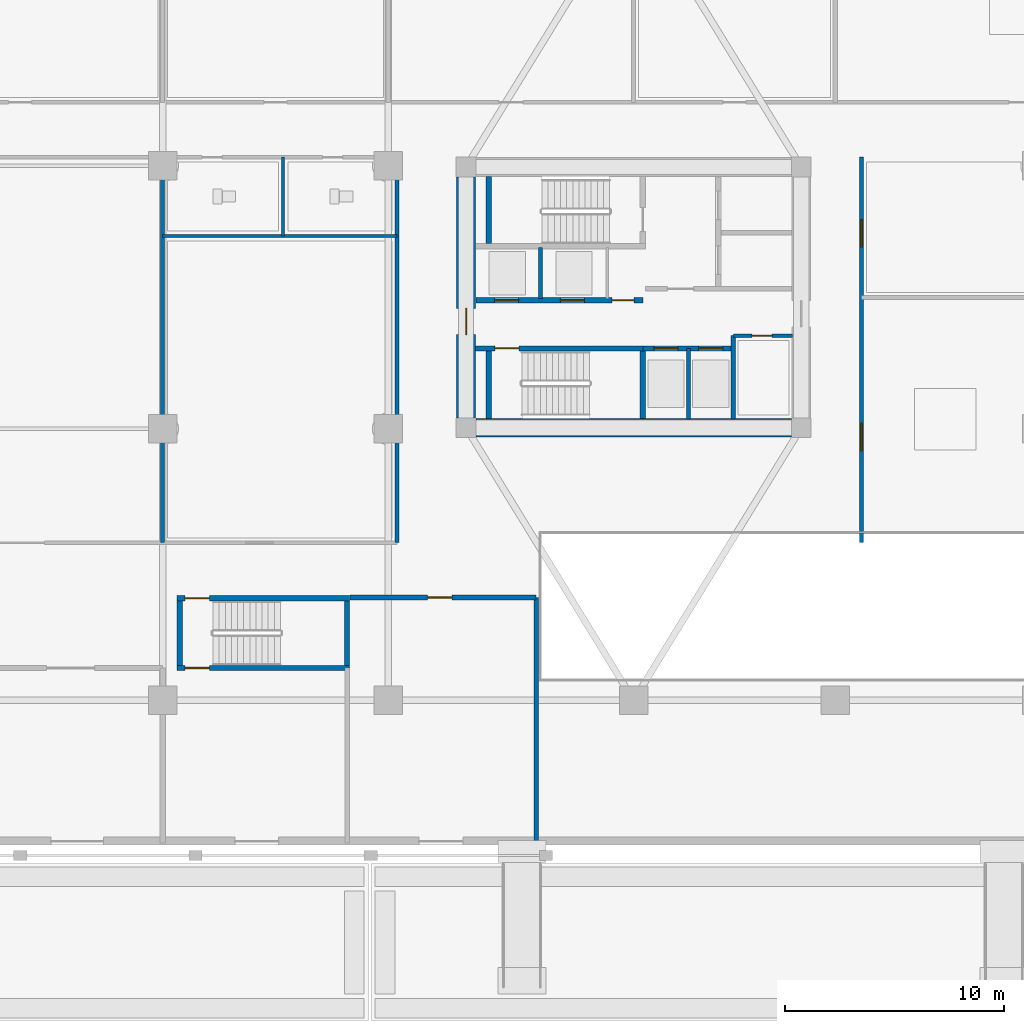
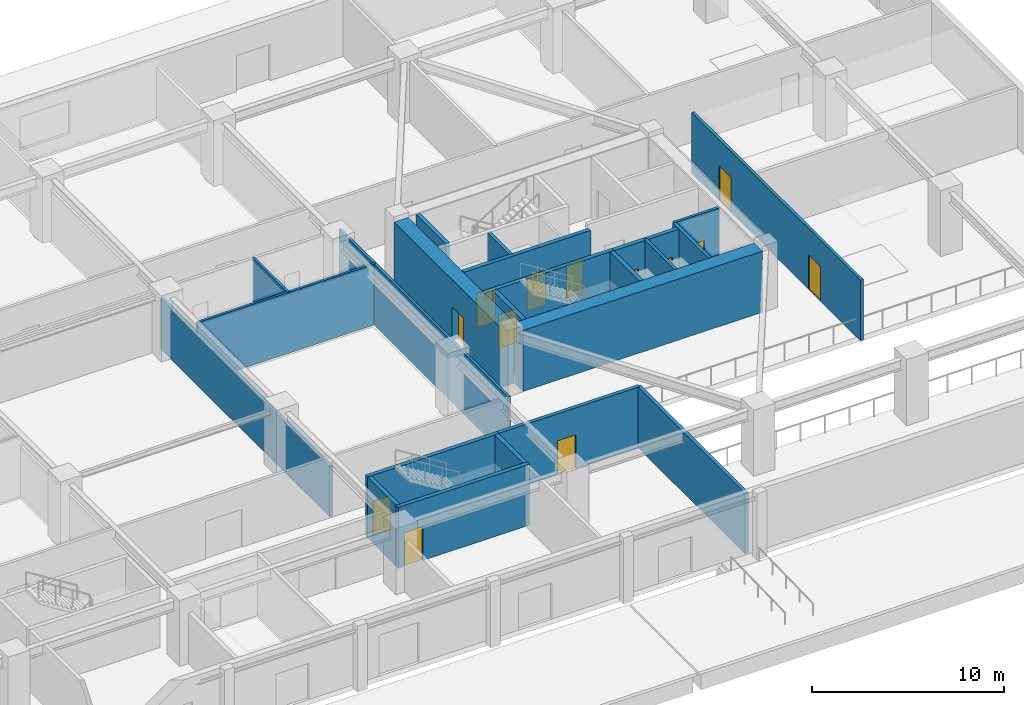
# One storey, part 10 of 22: 23 walls, 13 doors, 13 openings.
"""IFC4 building model written with IfcOpenShell, lengths in metres."""

from ifc_helpers import new_model, si_unit, direction, frame, frame_2d, origin, place, context, subcontext, project, spatial, rectangle, extrude, source, transform, mapped, material, layer, layer_set, type_object, type_shapes, element, fill, save


model = new_model("IFC4")

# Units and contexts
model_context = context("Model", 3, precision=1e-05, world=origin(), true_north=direction((0.0, 1.0)))
body_context = subcontext(model_context, "Body", "Model", "MODEL_VIEW")
ifc_project = project(units=[si_unit("LENGTHUNIT", "METRE"), si_unit("AREAUNIT", "SQUARE_METRE"), si_unit("VOLUMEUNIT", "CUBIC_METRE"), si_unit("PLANEANGLEUNIT", "RADIAN"), si_unit("MASSUNIT", "GRAM", prefix="KILO")], contexts=[model_context])

# Site, building, storey
site_placement = place(None, origin())
site = spatial("IfcSite", under=ifc_project, at=site_placement, CompositionType="ELEMENT")
building_placement = place(site_placement, origin())
building = spatial("IfcBuilding", under=site, at=building_placement, Name="Norrkilde Senior Care Towers", CompositionType="ELEMENT")
storey_placement = place(building_placement, origin())
storey = spatial("IfcBuildingStorey", under=building, at=storey_placement, Name="L00", CompositionType="ELEMENT", Elevation=0.0)

# Wall
ifc_material_1 = material(Name="Concrete C60/75", Category="concrete")
ifc_layer_1 = layer(ifc_material_1, 0.85009765625)
ifc_layer_set_1 = layer_set([ifc_layer_1], Name="Concrete C60/75")
wall_type_1 = type_object("IfcWallType", Name="Core Shear Wall Z1 850", PredefinedType="SHEAR", material=ifc_layer_set_1)
shared_shape_1 = source(origin(), body_context, "Body", "SweptSolid", [
    extrude(rectangle(XDim=14.39990234375, YDim=0.85009765625, at=frame_2d((7.199951171875, 0.0))), origin(), (0.0, 0.0, 1.0), 3.8798828125),
])
wall_1_placement = place(storey_placement, frame((35.199951171875, -5.949951171875, 0.0), z_axis=(0.0, 0.0, 1.0), x_axis=(-1.0, 0.0, 0.0)))
element("IfcWall", 1, at=wall_1_placement, inside=storey, type_object=wall_type_1, Name="L00 Core E South Shear Wall", PredefinedType="SHEAR", context=body_context, shape_type="MappedRepresentation", body=[
    mapped(shared_shape_1, transform((0.0, 0.0, 0.0), x_axis=(1.0, 0.0, 0.0), y_axis=(0.0, 1.0, 0.0), z_axis=(0.0, 0.0, 1.0), scale=1.0)),
])

# Wall, opening, door
shared_shape_2 = source(origin(), body_context, "Body", "SweptSolid", [
    extrude(rectangle(XDim=11.0, YDim=0.85009765625, at=frame_2d((5.5, 0.0))), origin(), (0.0, 0.0, 1.0), 3.8798828125),
])
type_shapes(wall_type_1, [shared_shape_1, shared_shape_2])
wall_2_placement = place(storey_placement, frame((20.35009765625, -5.5, 0.0), z_axis=(0.0, 0.0, 1.0), x_axis=(0.0, 1.0, 0.0)))
wall_2 = element("IfcWall", 2, at=wall_2_placement, inside=storey, type_object=wall_type_1, Name="L00 Core E West Shear Wall", PredefinedType="SHEAR", context=body_context, shape_type="MappedRepresentation", body=[
    mapped(shared_shape_2, transform((0.0, 0.0, 0.0), x_axis=(1.0, 0.0, 0.0), y_axis=(0.0, 1.0, 0.0), z_axis=(0.0, 0.0, 1.0), scale=1.0)),
])
opening_1_placement = place(wall_2_placement, frame((3.800048828125, 0.0, 0.0)))
opening_1 = element("IfcOpeningElement", 3, at=opening_1_placement, cuts=wall_2, Name="Opening D-04", PredefinedType="OPENING", context=body_context, shape_type="SweptSolid", body=[
    extrude(rectangle(XDim=1.199951171875, YDim=2.14990234375, at=frame_2d((0.60009765625, 1.074951171875))), frame((0.0, 0.43505859375, 0.0), z_axis=(0.0, -1.0, 0.0), x_axis=(1.0, 0.0, 0.0)), (0.0, 0.0, 1.0), 0.8701171875),
])
ifc_material_2 = material(Name="Galvanised Painted Steel", Category="steel")
door_type_1 = type_object("IfcDoorType", Name="Firefighting Lobby Fire Door 1200x2150", OperationType="NOTDEFINED", PredefinedType="DOOR", material=ifc_material_2)
shared_shape_3 = source(origin(), body_context, "Body", "SweptSolid", [
    extrude(rectangle(XDim=1.199951171875, YDim=2.14990234375, at=frame_2d((0.60009765625, 1.074951171875))), frame((0.0, 0.02490234375, 0.0), z_axis=(0.0, -1.0, 0.0), x_axis=(1.0, 0.0, 0.0)), (0.0, 0.0, 1.0), 0.050048828125),
])
type_shapes(door_type_1, [shared_shape_3])
door_1_placement = place(opening_1_placement, frame((1.199951171875, 0.0, 0.0), z_axis=(0.0, 0.0, 1.0), x_axis=(-1.0, 0.0, 0.0)))
door_1 = element("IfcDoor", 4, at=door_1_placement, inside=storey, type_object=door_type_1, Name="L00 Core E West Portal Door", OperationType="SINGLE_SWING_LEFT", OverallHeight=2.14990234375, OverallWidth=1.199951171875, PredefinedType="DOOR", context=body_context, shape_type="MappedRepresentation", body=[
    mapped(shared_shape_3, transform((0.0, 0.0, 0.0), x_axis=(1.0, 0.0, 0.0), y_axis=(0.0, 1.0, 0.0), z_axis=(0.0, 0.0, 1.0), scale=1.0)),
])
fill(opening_1, door_1)

ifc_material_3 = material(Name="Concrete C45/55", Category="concrete")
ifc_layer_2 = layer(ifc_material_3, 0.239990234375)
ifc_layer_set_2 = layer_set([ifc_layer_2], Name="Concrete C45/55")
wall_type_2 = type_object("IfcWallType", Name="Shaft and Stair Enclosure Wall 240", PredefinedType="PARTITIONING", material=ifc_layer_set_2)
shared_shape_4 = source(origin(), body_context, "Body", "SweptSolid", [
    extrude(rectangle(XDim=7.76513671875, YDim=0.239990234375, at=frame_2d((3.882568359375, 0.0))), origin(), (0.0, 0.0, 1.0), 3.8798828125),
])
wall_3_placement = place(storey_placement, frame((20.77490234375, -2.330078125, 0.0), z_axis=(0.0, 0.0, 1.0), x_axis=(1.0, 0.0, 0.0)))
wall_3 = element("IfcWall", 5, at=wall_3_placement, inside=storey, type_object=wall_type_2, Name="WL-INT-L00-E-ST2N", PredefinedType="PARTITIONING", context=body_context, shape_type="MappedRepresentation", body=[
    mapped(shared_shape_4, transform((0.0, 0.0, 0.0), x_axis=(1.0, 0.0, 0.0), y_axis=(0.0, 1.0, 0.0), z_axis=(0.0, 0.0, 1.0), scale=1.0)),
])
opening_2_placement = place(wall_3_placement, frame((0.885009765625, 0.0, 0.0)))
opening_2 = element("IfcOpeningElement", 6, at=opening_2_placement, cuts=wall_3, Name="Opening D-03", PredefinedType="OPENING", context=body_context, shape_type="SweptSolid", body=[
    extrude(rectangle(XDim=1.10009765625, YDim=2.14990234375, at=frame_2d((0.550048828125, 1.074951171875))), frame((0.0, 0.1298828125, 0.0), z_axis=(0.0, -1.0, 0.0), x_axis=(1.0, 0.0, 0.0)), (0.0, 0.0, 1.0), 0.260009765625),
])
door_type_2 = type_object("IfcDoorType", Name="Stairwell Protected Fire Door 1100x2150", OperationType="NOTDEFINED", PredefinedType="DOOR", material=ifc_material_2)
shared_shape_5 = source(origin(), body_context, "Body", "SweptSolid", [
    extrude(rectangle(XDim=1.10009765625, YDim=2.14990234375, at=frame_2d((0.550048828125, 1.074951171875))), frame((0.0, 0.02490234375, 0.0), z_axis=(0.0, -1.0, 0.0), x_axis=(1.0, 0.0, 0.0)), (0.0, 0.0, 1.0), 0.050048828125),
])
type_shapes(door_type_2, [shared_shape_5])
door_2_placement = place(opening_2_placement, frame((1.10009765625, 0.0, 0.0), z_axis=(0.0, 0.0, 1.0), x_axis=(-1.0, 0.0, 0.0)))
door_2 = element("IfcDoor", 7, at=door_2_placement, inside=storey, type_object=door_type_2, Name="L00 Stair E2 Fire Door", OperationType="SINGLE_SWING_RIGHT", OverallHeight=2.14990234375, OverallWidth=1.10009765625, PredefinedType="DOOR", context=body_context, shape_type="MappedRepresentation", body=[
    mapped(shared_shape_5, transform((0.0, 0.0, 0.0), x_axis=(1.0, 0.0, 0.0), y_axis=(0.0, 1.0, 0.0), z_axis=(0.0, 0.0, 1.0), scale=1.0)),
])
fill(opening_2, door_2)

# Walls
shared_shape_6 = source(origin(), body_context, "Body", "SweptSolid", [
    extrude(rectangle(XDim=3.074951171875, YDim=0.239990234375, at=frame_2d((1.53759765625, 0.0))), origin(), (0.0, 0.0, 1.0), 3.8798828125),
])
for number, where, z_axis, x_axis, name in (
    (8, (21.3798828125, 2.449951171875, 0.0), (0.0, 0.0, 1.0), (0.0, 1.0, 0.0), "WL-INT-L00-E-ST1W"),
    (9, (21.3798828125, -5.52490234375, 0.0), (0.0, 0.0, 1.0), (0.0, 1.0, 0.0), "WL-INT-L00-E-ST2W"),
    (10, (28.419921875, -5.52490234375, 0.0), (0.0, 0.0, 1.0), (0.0, 1.0, 0.0), "WL-INT-L00-E-ST2E"),
):
    element("IfcWall", number, at=place(storey_placement, frame(where, z_axis=z_axis, x_axis=x_axis)), inside=storey, type_object=wall_type_2, Name=name, PredefinedType="PARTITIONING", context=body_context, shape_type="MappedRepresentation", body=[
        mapped(shared_shape_6, transform((0.0, 0.0, 0.0), x_axis=(1.0, 0.0, 0.0), y_axis=(0.0, 1.0, 0.0), z_axis=(0.0, 0.0, 1.0), scale=1.0)),
    ])

# Wall, openings, doors
ifc_layer_3 = layer(ifc_material_3, 0.239990234375)
ifc_layer_set_3 = layer_set([ifc_layer_3], Name="Concrete C45/55")
wall_type_3 = type_object("IfcWallType", Name="Lift and Plant Rated Enclosure Partition 240", PredefinedType="PARTITIONING", material=ifc_layer_set_3)
shared_shape_7 = source(origin(), body_context, "Body", "SweptSolid", [
    extrude(rectangle(XDim=7.619873046875, YDim=0.239990234375, at=frame_2d((3.81005859375, 0.0))), origin(), (0.0, 0.0, 1.0), 3.864990234375),
])
wall_4_placement = place(storey_placement, frame((20.800048828125, -0.1298828125, 0.0), z_axis=(0.0, 0.0, 1.0), x_axis=(1.0, 0.0, 0.0)))
wall_4 = element("IfcWall", 11, at=wall_4_placement, inside=storey, type_object=wall_type_3, Name="WL-INT-L00-E-PKAS", PredefinedType="PARTITIONING", context=body_context, shape_type="MappedRepresentation", body=[
    mapped(shared_shape_7, transform((0.0, 0.0, 0.0), x_axis=(1.0, 0.0, 0.0), y_axis=(0.0, 1.0, 0.0), z_axis=(0.0, 0.0, 1.0), scale=1.0)),
])
opening_3_placement = place(wall_4_placement, frame((6.219970703125, 0.0, 0.0)))
opening_3 = element("IfcOpeningElement", 12, at=opening_3_placement, cuts=wall_4, Name="Opening D-10", PredefinedType="OPENING", context=body_context, shape_type="SweptSolid", body=[
    extrude(rectangle(XDim=1.0, YDim=2.10009765625, at=frame_2d((0.5, 1.050048828125))), frame((0.0, 0.1298828125, 0.0), z_axis=(0.0, -1.0, 0.0), x_axis=(1.0, 0.0, 0.0)), (0.0, 0.0, 1.0), 0.260009765625),
])
opening_4_placement = place(wall_4_placement, frame((0.85009765625, 0.0, 0.0)))
opening_4 = element("IfcOpeningElement", 13, at=opening_4_placement, cuts=wall_4, Name="Opening LD-01", PredefinedType="OPENING", context=body_context, shape_type="SweptSolid", body=[
    extrude(rectangle(XDim=1.10009765625, YDim=2.199951171875, at=frame_2d((0.550048828125, 1.10009765625))), frame((0.0, 0.1298828125, 0.0), z_axis=(0.0, -1.0, 0.0), x_axis=(1.0, 0.0, 0.0)), (0.0, 0.0, 1.0), 0.260009765625),
])
opening_5_placement = place(wall_4_placement, frame((3.85009765625, 0.0, 0.0)))
opening_5 = element("IfcOpeningElement", 14, at=opening_5_placement, cuts=wall_4, Name="Opening LD-01", PredefinedType="OPENING", context=body_context, shape_type="SweptSolid", body=[
    extrude(rectangle(XDim=1.10009765625, YDim=2.199951171875, at=frame_2d((0.550048828125, 1.10009765625))), frame((0.0, 0.1298828125, 0.0), z_axis=(0.0, -1.0, 0.0), x_axis=(1.0, 0.0, 0.0)), (0.0, 0.0, 1.0), 0.260009765625),
])
door_type_3 = type_object("IfcDoorType", Name="Plant and Riser Rated Door 1000x2100", OperationType="NOTDEFINED", PredefinedType="DOOR", material=ifc_material_2)
shared_shape_8 = source(origin(), body_context, "Body", "SweptSolid", [
    extrude(rectangle(XDim=1.0, YDim=2.10009765625, at=frame_2d((0.5, 1.050048828125))), frame((0.0, 0.02490234375, 0.0), z_axis=(0.0, -1.0, 0.0), x_axis=(1.0, 0.0, 0.0)), (0.0, 0.0, 1.0), 0.050048828125),
])
type_shapes(door_type_3, [shared_shape_8])
door_3_placement = place(opening_3_placement, frame((1.0, 0.0, 0.0), z_axis=(0.0, 0.0, 1.0), x_axis=(-1.0, 0.0, 0.0)))
door_3 = element("IfcDoor", 15, at=door_3_placement, inside=storey, type_object=door_type_3, Name="L00 Electrical Riser E Door", OperationType="SINGLE_SWING_LEFT", OverallHeight=2.10009765625, OverallWidth=1.0, PredefinedType="DOOR", context=body_context, shape_type="MappedRepresentation", body=[
    mapped(shared_shape_8, transform((0.0, 0.0, 0.0), x_axis=(1.0, 0.0, 0.0), y_axis=(0.0, 1.0, 0.0), z_axis=(0.0, 0.0, 1.0), scale=1.0)),
])
fill(opening_3, door_3)
ifc_material_4 = material(Name="Stainless Steel", Category="steel")
door_type_4 = type_object("IfcDoorType", Name="Lift Landing Sliding Door 1100x2200", OperationType="NOTDEFINED", PredefinedType="DOOR", material=ifc_material_4)
shared_shape_9 = source(origin(), body_context, "Body", "SweptSolid", [
    extrude(rectangle(XDim=1.10009765625, YDim=2.199951171875, at=frame_2d((0.550048828125, 1.10009765625))), frame((0.0, 0.02490234375, 0.0), z_axis=(0.0, -1.0, 0.0), x_axis=(1.0, 0.0, 0.0)), (0.0, 0.0, 1.0), 0.050048828125),
])
type_shapes(door_type_4, [shared_shape_9])
door_4_placement = place(opening_4_placement, origin())
door_4 = element("IfcDoor", 16, at=door_4_placement, inside=storey, type_object=door_type_4, Name="L00 Passenger Lift E1 Landing Door", OperationType="SLIDING_TO_LEFT", OverallHeight=2.199951171875, OverallWidth=1.10009765625, PredefinedType="DOOR", context=body_context, shape_type="MappedRepresentation", body=[
    mapped(shared_shape_9, transform((0.0, 0.0, 0.0), x_axis=(1.0, 0.0, 0.0), y_axis=(0.0, 1.0, 0.0), z_axis=(0.0, 0.0, 1.0), scale=1.0)),
])
fill(opening_4, door_4)
door_5_placement = place(opening_5_placement, origin())
door_5 = element("IfcDoor", 17, at=door_5_placement, inside=storey, type_object=door_type_4, Name="L00 Passenger Lift E2 Landing Door", OperationType="SLIDING_TO_RIGHT", OverallHeight=2.199951171875, OverallWidth=1.10009765625, PredefinedType="DOOR", context=body_context, shape_type="MappedRepresentation", body=[
    mapped(shared_shape_9, transform((0.0, 0.0, 0.0), x_axis=(1.0, 0.0, 0.0), y_axis=(0.0, 1.0, 0.0), z_axis=(0.0, 0.0, 1.0), scale=1.0)),
])
fill(opening_5, door_5)

# Walls
ifc_layer_4 = layer(ifc_material_3, 0.199951171875)
ifc_layer_set_4 = layer_set([ifc_layer_4], Name="Concrete C45/55")
wall_type_4 = type_object("IfcWallType", Name="Shaft Division and Plant Partition 200", PredefinedType="PARTITIONING", material=ifc_layer_set_4)
shared_shape_10 = source(origin(), body_context, "Body", "SweptSolid", [
    extrude(rectangle(XDim=2.330078125, YDim=0.199951171875, at=frame_2d((1.1650390625, 0.0))), origin(), (0.0, 0.0, 1.0), 3.864990234375),
])
wall_5_placement = place(storey_placement, frame((23.75, -0.050048828125, 0.0), z_axis=(0.0, 0.0, 1.0), x_axis=(0.0, 1.0, 0.0)))
element("IfcWall", 18, at=wall_5_placement, inside=storey, type_object=wall_type_4, Name="WL-INT-L00-E-PL12", PredefinedType="PARTITIONING", context=body_context, shape_type="MappedRepresentation", body=[
    mapped(shared_shape_10, transform((0.0, 0.0, 0.0), x_axis=(1.0, 0.0, 0.0), y_axis=(0.0, 1.0, 0.0), z_axis=(0.0, 0.0, 1.0), scale=1.0)),
])
shared_shape_11 = source(origin(), body_context, "Body", "SweptSolid", [
    extrude(rectangle(XDim=3.800048828125, YDim=0.199951171875, at=frame_2d((1.89990234375, 0.0))), origin(), (0.0, 0.0, 1.0), 3.864990234375),
])
type_shapes(wall_type_4, [shared_shape_10, shared_shape_11])
wall_6_placement = place(storey_placement, frame((32.550048828125, -5.550048828125, 0.0), z_axis=(0.0, 0.0, 1.0), x_axis=(0.0, 1.0, 0.0)))
element("IfcWall", 19, at=wall_6_placement, inside=storey, type_object=wall_type_4, Name="WL-INT-L00-E-PKBE", PredefinedType="PARTITIONING", context=body_context, shape_type="MappedRepresentation", body=[
    mapped(shared_shape_11, transform((0.0, 0.0, 0.0), x_axis=(1.0, 0.0, 0.0), y_axis=(0.0, 1.0, 0.0), z_axis=(0.0, 0.0, 1.0), scale=1.0)),
])

# Wall, openings, doors
shared_shape_12 = source(origin(), body_context, "Body", "SweptSolid", [
    extrude(rectangle(XDim=4.130126953125, YDim=0.239990234375, at=frame_2d((2.06494140625, 0.0))), origin(), (0.0, 0.0, 1.0), 3.864990234375),
])
type_shapes(wall_type_3, [shared_shape_7, shared_shape_12])
wall_7_placement = place(storey_placement, frame((28.419921875, -2.330078125, 0.0), z_axis=(0.0, 0.0, 1.0), x_axis=(1.0, 0.0, 0.0)))
wall_7 = element("IfcWall", 20, at=wall_7_placement, inside=storey, type_object=wall_type_3, Name="WL-INT-L00-E-PKBN", PredefinedType="PARTITIONING", context=body_context, shape_type="MappedRepresentation", body=[
    mapped(shared_shape_12, transform((0.0, 0.0, 0.0), x_axis=(1.0, 0.0, 0.0), y_axis=(0.0, 1.0, 0.0), z_axis=(0.0, 0.0, 1.0), scale=1.0)),
])
opening_6_placement = place(wall_7_placement, frame((0.5, 0.0, 0.0)))
opening_6 = element("IfcOpeningElement", 21, at=opening_6_placement, cuts=wall_7, Name="Opening LD-01", PredefinedType="OPENING", context=body_context, shape_type="SweptSolid", body=[
    extrude(rectangle(XDim=1.10009765625, YDim=2.199951171875, at=frame_2d((0.550048828125, 1.10009765625))), frame((0.0, 0.1298828125, 0.0), z_axis=(0.0, -1.0, 0.0), x_axis=(1.0, 0.0, 0.0)), (0.0, 0.0, 1.0), 0.260009765625),
])
opening_7_placement = place(wall_7_placement, frame((2.550048828125, 0.0, 0.0)))
opening_7 = element("IfcOpeningElement", 22, at=opening_7_placement, cuts=wall_7, Name="Opening LD-01", PredefinedType="OPENING", context=body_context, shape_type="SweptSolid", body=[
    extrude(rectangle(XDim=1.10009765625, YDim=2.199951171875, at=frame_2d((0.550048828125, 1.10009765625))), frame((0.0, 0.1298828125, 0.0), z_axis=(0.0, -1.0, 0.0), x_axis=(1.0, 0.0, 0.0)), (0.0, 0.0, 1.0), 0.260009765625),
])
door_6_placement = place(opening_6_placement, frame((1.10009765625, 0.0, 0.0), z_axis=(0.0, 0.0, 1.0), x_axis=(-1.0, 0.0, 0.0)))
door_6 = element("IfcDoor", 23, at=door_6_placement, inside=storey, type_object=door_type_4, Name="L00 Passenger Lift E3 Landing Door", OperationType="SLIDING_TO_LEFT", OverallHeight=2.199951171875, OverallWidth=1.10009765625, PredefinedType="DOOR", context=body_context, shape_type="MappedRepresentation", body=[
    mapped(shared_shape_9, transform((0.0, 0.0, 0.0), x_axis=(1.0, 0.0, 0.0), y_axis=(0.0, 1.0, 0.0), z_axis=(0.0, 0.0, 1.0), scale=1.0)),
])
fill(opening_6, door_6)
door_7_placement = place(opening_7_placement, frame((1.10009765625, 0.0, 0.0), z_axis=(0.0, 0.0, 1.0), x_axis=(-1.0, 0.0, 0.0)))
door_7 = element("IfcDoor", 24, at=door_7_placement, inside=storey, type_object=door_type_4, Name="L00 Passenger Lift E4 Landing Door", OperationType="SLIDING_TO_RIGHT", OverallHeight=2.199951171875, OverallWidth=1.10009765625, PredefinedType="DOOR", context=body_context, shape_type="MappedRepresentation", body=[
    mapped(shared_shape_9, transform((0.0, 0.0, 0.0), x_axis=(1.0, 0.0, 0.0), y_axis=(0.0, 1.0, 0.0), z_axis=(0.0, 0.0, 1.0), scale=1.0)),
])
fill(opening_7, door_7)

# Wall
ifc_layer_5 = layer(ifc_material_3, 0.179931640625)
ifc_layer_set_5 = layer_set([ifc_layer_5], Name="Concrete C45/55")
wall_type_5 = type_object("IfcWallType", Name="Hoistway Division Rated Partition 180", PredefinedType="PARTITIONING", material=ifc_layer_set_5)
shared_shape_13 = source(origin(), body_context, "Body", "SweptSolid", [
    extrude(rectangle(XDim=3.219970703125, YDim=0.179931640625, at=frame_2d((1.60986328125, 0.0))), origin(), (0.0, 0.0, 1.0), 3.864990234375),
])
type_shapes(wall_type_5, [shared_shape_13])
wall_8_placement = place(storey_placement, frame((30.5, -5.550048828125, 0.0), z_axis=(0.0, 0.0, 1.0), x_axis=(0.0, 1.0, 0.0)))
element("IfcWall", 25, at=wall_8_placement, inside=storey, type_object=wall_type_5, Name="WL-INT-L00-E-PL34", PredefinedType="PARTITIONING", context=body_context, shape_type="MappedRepresentation", body=[
    mapped(shared_shape_13, transform((0.0, 0.0, 0.0), x_axis=(1.0, 0.0, 0.0), y_axis=(0.0, 1.0, 0.0), z_axis=(0.0, 0.0, 1.0), scale=1.0)),
])

# Wall, opening, door
ifc_material_5 = material(Name="Gypsum Acoustic Board")
ifc_layer_6 = layer(ifc_material_5, 0.1650390625)
ifc_layer_set_6 = layer_set([ifc_layer_6], Name="Gypsum Acoustic Board")
wall_type_6 = type_object("IfcWallType", Name="Corridor Rated Partition 165", PredefinedType="PARTITIONING", material=ifc_layer_set_6)
shared_shape_14 = source(origin(), body_context, "Body", "SweptSolid", [
    extrude(rectangle(XDim=2.699951171875, YDim=0.1650390625, at=frame_2d((1.35009765625, 0.0))), origin(), (0.0, 0.0, 1.0), 3.864990234375),
])
wall_9_placement = place(storey_placement, frame((32.550048828125, -1.75, 0.0), z_axis=(0.0, 0.0, 1.0), x_axis=(1.0, 0.0, 0.0)))
wall_9 = element("IfcWall", 26, at=wall_9_placement, inside=storey, type_object=wall_type_6, Name="WL-INT-L00-E-CSN", PredefinedType="PARTITIONING", context=body_context, shape_type="MappedRepresentation", body=[
    mapped(shared_shape_14, transform((0.0, 0.0, 0.0), x_axis=(1.0, 0.0, 0.0), y_axis=(0.0, 1.0, 0.0), z_axis=(0.0, 0.0, 1.0), scale=1.0)),
])
opening_8_placement = place(wall_9_placement, frame((0.85009765625, 0.0, 0.0)))
opening_8 = element("IfcOpeningElement", 27, at=opening_8_placement, cuts=wall_9, Name="Opening D-12", PredefinedType="OPENING", context=body_context, shape_type="SweptSolid", body=[
    extrude(rectangle(XDim=0.925048828125, YDim=2.10009765625, at=frame_2d((0.46240234375, 1.050048828125))), frame((0.0, 0.092529296875, 0.0), z_axis=(0.0, -1.0, 0.0), x_axis=(1.0, 0.0, 0.0)), (0.0, 0.0, 1.0), 0.18505859375),
])
door_type_5 = type_object("IfcDoorType", Name="Core Wet Room Rated Door 925x2100", OperationType="NOTDEFINED", PredefinedType="DOOR", material=ifc_material_2)
shared_shape_15 = source(origin(), body_context, "Body", "SweptSolid", [
    extrude(rectangle(XDim=0.925048828125, YDim=2.10009765625, at=frame_2d((0.46240234375, 1.050048828125))), frame((0.0, 0.02490234375, 0.0), z_axis=(0.0, -1.0, 0.0), x_axis=(1.0, 0.0, 0.0)), (0.0, 0.0, 1.0), 0.050048828125),
])
type_shapes(door_type_5, [shared_shape_15])
door_8_placement = place(opening_8_placement, origin())
door_8 = element("IfcDoor", 28, at=door_8_placement, inside=storey, type_object=door_type_5, Name="L00 Core Utility E Door", OperationType="SINGLE_SWING_LEFT", OverallHeight=2.10009765625, OverallWidth=0.925048828125, PredefinedType="DOOR", context=body_context, shape_type="MappedRepresentation", body=[
    mapped(shared_shape_15, transform((0.0, 0.0, 0.0), x_axis=(1.0, 0.0, 0.0), y_axis=(0.0, 1.0, 0.0), z_axis=(0.0, 0.0, 1.0), scale=1.0)),
])
fill(opening_8, door_8)

shared_shape_16 = source(origin(), body_context, "Body", "SweptSolid", [
    extrude(rectangle(XDim=7.880126953125, YDim=0.239990234375, at=frame_2d((3.93994140625, 0.0))), origin(), (0.0, 0.0, 1.0), 3.8798828125),
])
wall_10_placement = place(storey_placement, frame((7.159912109375, -13.72998046875, 0.0), z_axis=(0.0, 0.0, 1.0), x_axis=(1.0, 0.0, 0.0)))
wall_10 = element("IfcWall", 29, at=wall_10_placement, inside=storey, type_object=wall_type_2, Name="WL-INT-L00-STP2-N", PredefinedType="PARTITIONING", context=body_context, shape_type="MappedRepresentation", body=[
    mapped(shared_shape_16, transform((0.0, 0.0, 0.0), x_axis=(1.0, 0.0, 0.0), y_axis=(0.0, 1.0, 0.0), z_axis=(0.0, 0.0, 1.0), scale=1.0)),
])
opening_9_placement = place(wall_10_placement, frame((0.3701171875, 0.0, 0.0)))
opening_9 = element("IfcOpeningElement", 30, at=opening_9_placement, cuts=wall_10, Name="Opening D-03", PredefinedType="OPENING", context=body_context, shape_type="SweptSolid", body=[
    extrude(rectangle(XDim=1.10009765625, YDim=2.14990234375, at=frame_2d((0.550048828125, 1.074951171875))), frame((0.0, 0.1298828125, 0.0), z_axis=(0.0, -1.0, 0.0), x_axis=(1.0, 0.0, 0.0)), (0.0, 0.0, 1.0), 0.260009765625),
])
door_9_placement = place(opening_9_placement, origin())
door_9 = element("IfcDoor", 31, at=door_9_placement, inside=storey, type_object=door_type_2, Name="L00 Podium Stair P2 Door", OperationType="SINGLE_SWING_LEFT", OverallHeight=2.14990234375, OverallWidth=1.10009765625, PredefinedType="DOOR", context=body_context, shape_type="MappedRepresentation", body=[
    mapped(shared_shape_5, transform((0.0, 0.0, 0.0), x_axis=(1.0, 0.0, 0.0), y_axis=(0.0, 1.0, 0.0), z_axis=(0.0, 0.0, 1.0), scale=1.0)),
])
fill(opening_9, door_9)

wall_11_placement = place(storey_placement, frame((7.159912109375, -16.919921875, 0.0), z_axis=(0.0, 0.0, 1.0), x_axis=(1.0, 0.0, 0.0)))
wall_11 = element("IfcWall", 32, at=wall_11_placement, inside=storey, type_object=wall_type_2, Name="WL-INT-L00-STP2-S", PredefinedType="PARTITIONING", context=body_context, shape_type="MappedRepresentation", body=[
    mapped(shared_shape_16, transform((0.0, 0.0, 0.0), x_axis=(1.0, 0.0, 0.0), y_axis=(0.0, 1.0, 0.0), z_axis=(0.0, 0.0, 1.0), scale=1.0)),
])
opening_10_placement = place(wall_11_placement, frame((0.3701171875, 0.0, 0.0)))
opening_10 = element("IfcOpeningElement", 33, at=opening_10_placement, cuts=wall_11, Name="Opening D-03", PredefinedType="OPENING", context=body_context, shape_type="SweptSolid", body=[
    extrude(rectangle(XDim=1.10009765625, YDim=2.14990234375, at=frame_2d((0.550048828125, 1.074951171875))), frame((0.0, 0.1298828125, 0.0), z_axis=(0.0, -1.0, 0.0), x_axis=(1.0, 0.0, 0.0)), (0.0, 0.0, 1.0), 0.260009765625),
])
door_10_placement = place(opening_10_placement, frame((1.10009765625, 0.0, 0.0), z_axis=(0.0, 0.0, 1.0), x_axis=(-1.0, 0.0, 0.0)))
door_10 = element("IfcDoor", 34, at=door_10_placement, inside=storey, type_object=door_type_2, Name="L00 Podium Stair P2 Exit Discharge Door", OperationType="SINGLE_SWING_RIGHT", OverallHeight=2.14990234375, OverallWidth=1.10009765625, PredefinedType="DOOR", context=body_context, shape_type="MappedRepresentation", body=[
    mapped(shared_shape_5, transform((0.0, 0.0, 0.0), x_axis=(1.0, 0.0, 0.0), y_axis=(0.0, 1.0, 0.0), z_axis=(0.0, 0.0, 1.0), scale=1.0)),
])
fill(opening_10, door_10)

# Walls
shared_shape_17 = source(origin(), body_context, "Body", "SweptSolid", [
    extrude(rectangle(XDim=2.949951171875, YDim=0.239990234375, at=frame_2d((1.47509765625, 0.0))), origin(), (0.0, 0.0, 1.0), 3.8798828125),
])
type_shapes(wall_type_2, [shared_shape_4, shared_shape_6, shared_shape_16, shared_shape_17])
for number, where, z_axis, x_axis, name in (
    (35, (7.280029296875, -16.800048828125, 0.0), (0.0, 0.0, 1.0), (0.0, 1.0, 0.0), "WL-INT-L00-STP2-W"),
    (36, (14.919921875, -16.800048828125, 0.0), (0.0, 0.0, 1.0), (0.0, 1.0, 0.0), "WL-INT-L00-STP2-E"),
):
    element("IfcWall", number, at=place(storey_placement, frame(where, z_axis=z_axis, x_axis=x_axis)), inside=storey, type_object=wall_type_2, Name=name, PredefinedType="PARTITIONING", context=body_context, shape_type="MappedRepresentation", body=[
        mapped(shared_shape_17, transform((0.0, 0.0, 0.0), x_axis=(1.0, 0.0, 0.0), y_axis=(0.0, 1.0, 0.0), z_axis=(0.0, 0.0, 1.0), scale=1.0)),
    ])

# Wall, openings, doors
shared_shape_18 = source(origin(), body_context, "Body", "SweptSolid", [
    extrude(rectangle(XDim=17.599853515625, YDim=0.1650390625, at=frame_2d((8.7998046875, 0.0))), origin(), (0.0, 0.0, 1.0), 3.864990234375),
])
type_shapes(wall_type_6, [shared_shape_14, shared_shape_18])
wall_12_placement = place(storey_placement, frame((38.39990234375, -11.199951171875, 0.0), z_axis=(0.0, 0.0, 1.0), x_axis=(0.0, 1.0, 0.0)))
wall_12 = element("IfcWall", 37, at=wall_12_placement, inside=storey, type_object=wall_type_6, Name="WL-INT-L00-POD-OE", PredefinedType="PARTITIONING", context=body_context, shape_type="MappedRepresentation", body=[
    mapped(shared_shape_18, transform((0.0, 0.0, 0.0), x_axis=(1.0, 0.0, 0.0), y_axis=(0.0, 1.0, 0.0), z_axis=(0.0, 0.0, 1.0), scale=1.0)),
])
opening_11_placement = place(wall_12_placement, frame((4.199951171875, 0.0, 0.0)))
opening_11 = element("IfcOpeningElement", 38, at=opening_11_placement, cuts=wall_12, Name="Opening D-05", PredefinedType="OPENING", context=body_context, shape_type="SweptSolid", body=[
    extrude(rectangle(XDim=1.25, YDim=2.199951171875, at=frame_2d((0.625, 1.10009765625))), frame((0.0, 0.092529296875, 0.0), z_axis=(0.0, -1.0, 0.0), x_axis=(1.0, 0.0, 0.0)), (0.0, 0.0, 1.0), 0.18505859375),
])
opening_12_placement = place(wall_12_placement, frame((13.5, 0.0, 0.0)))
opening_12 = element("IfcOpeningElement", 39, at=opening_12_placement, cuts=wall_12, Name="Opening D-05", PredefinedType="OPENING", context=body_context, shape_type="SweptSolid", body=[
    extrude(rectangle(XDim=1.25, YDim=2.199951171875, at=frame_2d((0.625, 1.10009765625))), frame((0.0, 0.092529296875, 0.0), z_axis=(0.0, -1.0, 0.0), x_axis=(1.0, 0.0, 0.0)), (0.0, 0.0, 1.0), 0.18505859375),
])
ifc_material_6 = material(Name="Nordic Ash Timber", Category="wood")
door_type_6 = type_object("IfcDoorType", Name="Care Bedroom Bariatric Door 1250x2200", OperationType="NOTDEFINED", PredefinedType="DOOR", material=ifc_material_6)
shared_shape_19 = source(origin(), body_context, "Body", "SweptSolid", [
    extrude(rectangle(XDim=1.25, YDim=2.199951171875, at=frame_2d((0.625, 1.10009765625))), frame((0.0, 0.02490234375, 0.0), z_axis=(0.0, -1.0, 0.0), x_axis=(1.0, 0.0, 0.0)), (0.0, 0.0, 1.0), 0.050048828125),
])
type_shapes(door_type_6, [shared_shape_19])
door_11_placement = place(opening_11_placement, origin())
door_11 = element("IfcDoor", 40, at=door_11_placement, inside=storey, type_object=door_type_6, Name="L00 Rehab Ward OE1 Door", OperationType="SINGLE_SWING_LEFT", OverallHeight=2.199951171875, OverallWidth=1.25, PredefinedType="DOOR", context=body_context, shape_type="MappedRepresentation", body=[
    mapped(shared_shape_19, transform((0.0, 0.0, 0.0), x_axis=(1.0, 0.0, 0.0), y_axis=(0.0, 1.0, 0.0), z_axis=(0.0, 0.0, 1.0), scale=1.0)),
])
fill(opening_11, door_11)
door_12_placement = place(opening_12_placement, origin())
door_12 = element("IfcDoor", 41, at=door_12_placement, inside=storey, type_object=door_type_6, Name="L00 Wellness Hall OE2 Door", OperationType="SINGLE_SWING_RIGHT", OverallHeight=2.199951171875, OverallWidth=1.25, PredefinedType="DOOR", context=body_context, shape_type="MappedRepresentation", body=[
    mapped(shared_shape_19, transform((0.0, 0.0, 0.0), x_axis=(1.0, 0.0, 0.0), y_axis=(0.0, 1.0, 0.0), z_axis=(0.0, 0.0, 1.0), scale=1.0)),
])
fill(opening_12, door_12)

# Walls
wall_13_placement = place(storey_placement, frame((17.199951171875, -11.199951171875, 0.0), z_axis=(0.0, 0.0, 1.0), x_axis=(0.0, 1.0, 0.0)))
element("IfcWall", 42, at=wall_13_placement, inside=storey, type_object=wall_type_6, Name="WL-INT-L00-POD-E", PredefinedType="PARTITIONING", context=body_context, shape_type="MappedRepresentation", body=[
    mapped(shared_shape_18, transform((0.0, 0.0, 0.0), x_axis=(1.0, 0.0, 0.0), y_axis=(0.0, 1.0, 0.0), z_axis=(0.0, 0.0, 1.0), scale=1.0)),
])
ifc_layer_7 = layer(ifc_material_5, 0.18994140625)
ifc_layer_set_7 = layer_set([ifc_layer_7], Name="Gypsum Acoustic Board")
wall_type_7 = type_object("IfcWallType", Name="Unit Demising Acoustic Wall 190", PredefinedType="PARTITIONING", material=ifc_layer_set_7)
shared_shape_20 = source(origin(), body_context, "Body", "SweptSolid", [
    extrude(rectangle(XDim=17.599853515625, YDim=0.18994140625, at=frame_2d((8.7998046875, 0.0))), origin(), (0.0, 0.0, 1.0), 3.215087890625),
])
type_shapes(wall_type_7, [shared_shape_20])
wall_14_placement = place(storey_placement, frame((6.5, -11.199951171875, 0.0), z_axis=(0.0, 0.0, 1.0), x_axis=(0.0, 1.0, 0.0)))
element("IfcWall", 43, at=wall_14_placement, inside=storey, type_object=wall_type_7, Name="WL-INT-L00-POD-M2", PredefinedType="PARTITIONING", context=body_context, shape_type="MappedRepresentation", body=[
    mapped(shared_shape_20, transform((0.0, 0.0, 0.0), x_axis=(1.0, 0.0, 0.0), y_axis=(0.0, 1.0, 0.0), z_axis=(0.0, 0.0, 1.0), scale=1.0)),
])
ifc_layer_8 = layer(ifc_material_5, 0.139892578125)
ifc_layer_set_8 = layer_set([ifc_layer_8], Name="Gypsum Acoustic Board")
wall_type_8 = type_object("IfcWallType", Name="En-suite Wet Room Wall 140", PredefinedType="PARTITIONING", material=ifc_layer_set_8)
shared_shape_21 = source(origin(), body_context, "Body", "SweptSolid", [
    extrude(rectangle(XDim=3.599853515625, YDim=0.139892578125, at=frame_2d((1.7998046875, 0.0))), origin(), (0.0, 0.0, 1.0), 3.864990234375),
])
wall_15_placement = place(storey_placement, frame((12.0, 2.800048828125, 0.0), z_axis=(0.0, 0.0, 1.0), x_axis=(0.0, 1.0, 0.0)))
element("IfcWall", 44, at=wall_15_placement, inside=storey, type_object=wall_type_8, Name="WL-INT-L00-POD-WC2", PredefinedType="PARTITIONING", context=body_context, shape_type="MappedRepresentation", body=[
    mapped(shared_shape_21, transform((0.0, 0.0, 0.0), x_axis=(1.0, 0.0, 0.0), y_axis=(0.0, 1.0, 0.0), z_axis=(0.0, 0.0, 1.0), scale=1.0)),
])
shared_shape_22 = source(origin(), body_context, "Body", "SweptSolid", [
    extrude(rectangle(XDim=10.699951171875, YDim=0.139892578125, at=frame_2d((5.35009765625, 0.0))), origin(), (0.0, 0.0, 1.0), 3.864990234375),
])
type_shapes(wall_type_8, [shared_shape_21, shared_shape_22])
wall_16_placement = place(storey_placement, frame((6.5, 2.800048828125, 0.0), z_axis=(0.0, 0.0, 1.0), x_axis=(1.0, 0.0, 0.0)))
element("IfcWall", 45, at=wall_16_placement, inside=storey, type_object=wall_type_8, Name="WL-INT-L00-POD-WC1", PredefinedType="PARTITIONING", context=body_context, shape_type="MappedRepresentation", body=[
    mapped(shared_shape_22, transform((0.0, 0.0, 0.0), x_axis=(1.0, 0.0, 0.0), y_axis=(0.0, 1.0, 0.0), z_axis=(0.0, 0.0, 1.0), scale=1.0)),
])

# Wall, opening, door
ifc_layer_9 = layer(ifc_material_3, 0.2099609375)
ifc_layer_set_9 = layer_set([ifc_layer_9], Name="Concrete C45/55")
wall_type_9 = type_object("IfcWallType", Name="Firefighting Lobby Wall 210", PredefinedType="PARTITIONING", material=ifc_layer_set_9)
shared_shape_23 = source(origin(), body_context, "Body", "SweptSolid", [
    extrude(rectangle(XDim=8.5, YDim=0.2099609375, at=frame_2d((4.25, 0.0))), origin(), (0.0, 0.0, 1.0), 3.864990234375),
])
wall_17_placement = place(storey_placement, frame((15.050048828125, -13.699951171875, 0.0), z_axis=(0.0, 0.0, 1.0), x_axis=(1.0, 0.0, 0.0)))
wall_17 = element("IfcWall", 46, at=wall_17_placement, inside=storey, type_object=wall_type_9, Name="WL-INT-L00-EPE-N", PredefinedType="PARTITIONING", context=body_context, shape_type="MappedRepresentation", body=[
    mapped(shared_shape_23, transform((0.0, 0.0, 0.0), x_axis=(1.0, 0.0, 0.0), y_axis=(0.0, 1.0, 0.0), z_axis=(0.0, 0.0, 1.0), scale=1.0)),
])
opening_13_placement = place(wall_17_placement, frame((3.550048828125, 0.0, 0.0)))
opening_13 = element("IfcOpeningElement", 47, at=opening_13_placement, cuts=wall_17, Name="Opening D-03", PredefinedType="OPENING", context=body_context, shape_type="SweptSolid", body=[
    extrude(rectangle(XDim=1.10009765625, YDim=2.14990234375, at=frame_2d((0.550048828125, 1.074951171875))), frame((0.0, 0.114990234375, 0.0), z_axis=(0.0, -1.0, 0.0), x_axis=(1.0, 0.0, 0.0)), (0.0, 0.0, 1.0), 0.22998046875),
])
door_13_placement = place(opening_13_placement, frame((1.10009765625, 0.0, 0.0), z_axis=(0.0, 0.0, 1.0), x_axis=(-1.0, 0.0, 0.0)))
door_13 = element("IfcDoor", 48, at=door_13_placement, inside=storey, type_object=door_type_2, Name="L00 Tower East Exit Passageway Door", OperationType="SINGLE_SWING_LEFT", OverallHeight=2.14990234375, OverallWidth=1.10009765625, PredefinedType="DOOR", context=body_context, shape_type="MappedRepresentation", body=[
    mapped(shared_shape_5, transform((0.0, 0.0, 0.0), x_axis=(1.0, 0.0, 0.0), y_axis=(0.0, 1.0, 0.0), z_axis=(0.0, 0.0, 1.0), scale=1.0)),
])
fill(opening_13, door_13)

# Wall
shared_shape_24 = source(origin(), body_context, "Body", "SweptSolid", [
    extrude(rectangle(XDim=11.199951171875, YDim=0.2099609375, at=frame_2d((5.60009765625, 0.0))), origin(), (0.0, 0.0, 1.0), 3.864990234375),
])
type_shapes(wall_type_9, [shared_shape_23, shared_shape_24])
wall_18_placement = place(storey_placement, frame((23.550048828125, -24.89990234375, 0.0), z_axis=(0.0, 0.0, 1.0), x_axis=(0.0, 1.0, 0.0)))
element("IfcWall", 49, at=wall_18_placement, inside=storey, type_object=wall_type_9, Name="WL-INT-L00-EPE-E", PredefinedType="PARTITIONING", context=body_context, shape_type="MappedRepresentation", body=[
    mapped(shared_shape_24, transform((0.0, 0.0, 0.0), x_axis=(1.0, 0.0, 0.0), y_axis=(0.0, 1.0, 0.0), z_axis=(0.0, 0.0, 1.0), scale=1.0)),
])

save(model, "model.ifc")
